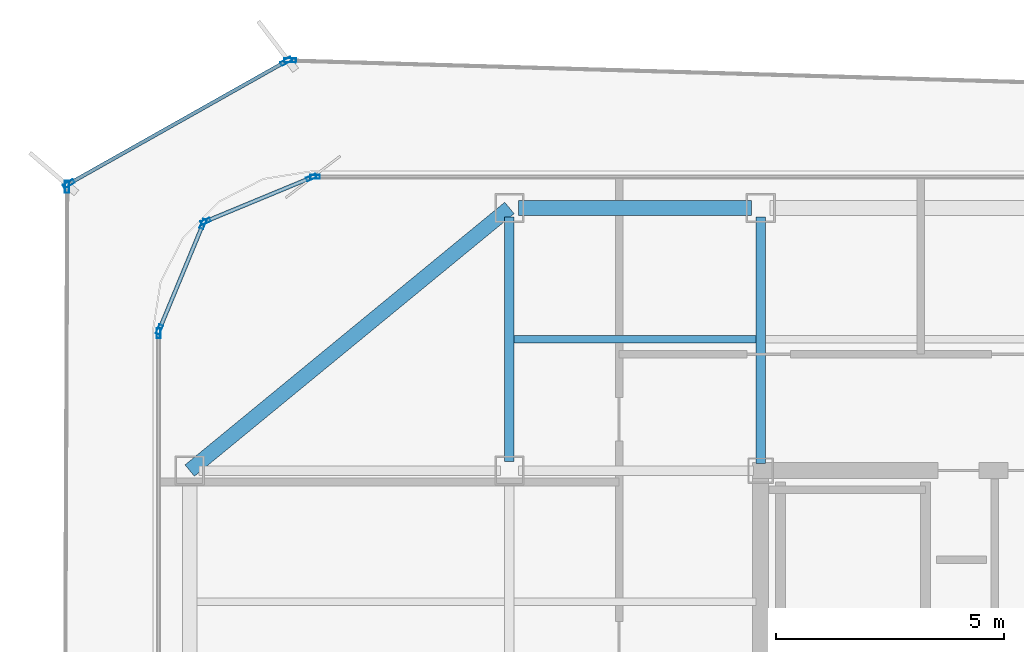
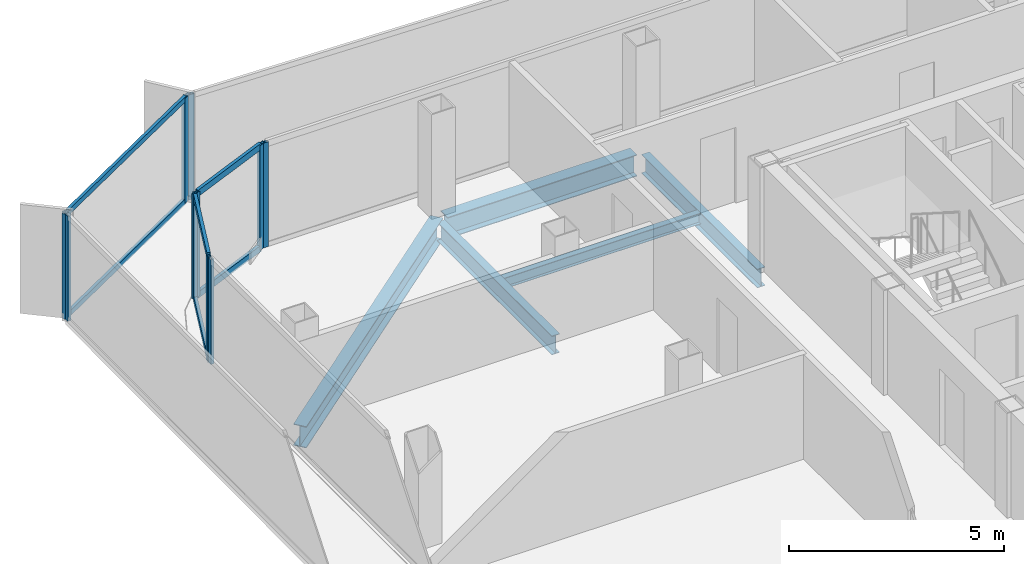
# One storey, part 6 of 15: 16 members, 5 beams, 7 elements without a shape of their own.
"""IFC4 building model written with IfcOpenShell, lengths in metres."""

from ifc_helpers import new_model, si_unit, direction, frame, origin, origin_2d, place, context, subcontext, project, spatial, hollow_rectangle, i_section, extrude, source, transform, mapped, material, layer, layer_set, material_profile, profile_set, type_object, element, aggregate, save


model = new_model("IFC4")

# Units and contexts
model_context = context("Model", 3, precision=1e-05, world=origin(), true_north=direction((0.0, 1.0)))
body_context = subcontext(model_context, "Body", "Model", "MODEL_VIEW")
ifc_project = project(units=[si_unit("LENGTHUNIT", "METRE"), si_unit("AREAUNIT", "SQUARE_METRE"), si_unit("VOLUMEUNIT", "CUBIC_METRE"), si_unit("PLANEANGLEUNIT", "RADIAN"), si_unit("MASSUNIT", "GRAM", prefix="KILO")], contexts=[model_context])

# Site, building, storey
site_placement = place(None, origin())
site = spatial("IfcSite", under=ifc_project, at=site_placement, CompositionType="ELEMENT")
building_placement = place(site_placement, origin())
building = spatial("IfcBuilding", under=site, at=building_placement, Name="Kolveth Station Tower", CompositionType="ELEMENT")
storey_placement = place(building_placement, frame((0.0, 0.0, 242.5)))
storey = spatial("IfcBuildingStorey", under=building, at=storey_placement, Name="L69", CompositionType="ELEMENT", Elevation=242.5)

# Beams
ifc_material_1 = material(Name="Steel S355", Category="steel")
ifc_material_profile_1 = material_profile(ifc_material_1, i_section(OverallWidth=0.323974609375, OverallDepth=0.611083984375, WebThickness=0.0126953125, FlangeThickness=0.01904296875, at=origin_2d()), Name="W610x155")
ifc_profile_set_1 = profile_set([ifc_material_profile_1], Name="Steel S355")
beam_type_1 = type_object("IfcBeamType", Name="Beam_SP2", PredefinedType="SPANDREL", material=ifc_profile_set_1)
shared_shape_1 = source(origin(), body_context, "Body", "SweptSolid", [
    extrude(i_section(OverallWidth=0.323974609375, OverallDepth=0.611083984375, WebThickness=0.0126953125, FlangeThickness=0.01904296875, at=origin_2d()), origin(), (0.0, 0.0, 1.0), 9.058837890625),
])
beam_1_placement = place(storey_placement, frame((13.0, 34.5, -0.525390625), z_axis=(-0.772726254525, -0.63473942336, 0.0), x_axis=(0.63473942336, -0.772726254525, 0.0)))
element("IfcBeam", 1, at=beam_1_placement, inside=storey, type_object=beam_type_1, Name="L69 Corner Edge Girder BM-L69-CNR-NW", PredefinedType="SPANDREL", context=body_context, shape_type="MappedRepresentation", body=[
    mapped(shared_shape_1, transform((0.0, 0.0, 0.0), x_axis=(1.0, 0.0, 0.0), y_axis=(0.0, 1.0, 0.0), z_axis=(0.0, 0.0, 1.0), scale=1.0)),
])
shared_shape_2 = source(origin(), body_context, "Body", "SweptSolid", [
    extrude(i_section(OverallWidth=0.323974609375, OverallDepth=0.611083984375, WebThickness=0.0126953125, FlangeThickness=0.01904296875, at=origin_2d()), origin(), (0.0, 0.0, 1.0), 5.10009765625),
])
beam_2_placement = place(storey_placement, frame((13.199951171875, 34.5, -0.525390625), z_axis=(1.0, 0.0, 0.0), x_axis=(0.0, 1.0, 0.0)))
element("IfcBeam", 2, at=beam_2_placement, inside=storey, type_object=beam_type_1, Name="L69 Perimeter Spandrel BM-L69-PN-1", PredefinedType="SPANDREL", context=body_context, shape_type="MappedRepresentation", body=[
    mapped(shared_shape_2, transform((0.0, 0.0, 0.0), x_axis=(1.0, 0.0, 0.0), y_axis=(0.0, 1.0, 0.0), z_axis=(0.0, 0.0, 1.0), scale=1.0)),
])
ifc_material_profile_2 = material_profile(ifc_material_1, i_section(OverallWidth=0.2099609375, OverallDepth=0.537109375, WebThickness=0.010986328125, FlangeThickness=0.017333984375, at=origin_2d()), Name="W530x101")
ifc_profile_set_2 = profile_set([ifc_material_profile_2], Name="Steel S355")
beam_type_2 = type_object("IfcBeamType", Name="Beam_B6", PredefinedType="BEAM", material=ifc_profile_set_2)
shared_shape_3 = source(origin(), body_context, "Body", "SweptSolid", [
    extrude(i_section(OverallWidth=0.2099609375, OverallDepth=0.537109375, WebThickness=0.010986328125, FlangeThickness=0.017333984375, at=origin_2d()), origin(), (0.0, 0.0, 1.0), 5.35009765625),
])
beam_3_placement = place(storey_placement, frame((13.0, 28.949951171875, -0.488525390625), z_axis=(0.0, 1.0, 0.0), x_axis=(-1.0, 0.0, 0.0)))
element("IfcBeam", 3, at=beam_3_placement, inside=storey, type_object=beam_type_2, Name="L69 Primary Girder BM-L69-GX130-6", PredefinedType="BEAM", context=body_context, shape_type="MappedRepresentation", body=[
    mapped(shared_shape_3, transform((0.0, 0.0, 0.0), x_axis=(1.0, 0.0, 0.0), y_axis=(0.0, 1.0, 0.0), z_axis=(0.0, 0.0, 1.0), scale=1.0)),
])
shared_shape_4 = source(origin(), body_context, "Body", "SweptSolid", [
    extrude(i_section(OverallWidth=0.2099609375, OverallDepth=0.537109375, WebThickness=0.010986328125, FlangeThickness=0.017333984375, at=origin_2d()), origin(), (0.0, 0.0, 1.0), 5.39013671875),
])
beam_4_placement = place(storey_placement, frame((18.5, 28.909912109375, -0.488525390625), z_axis=(0.0, 1.0, 0.0), x_axis=(-1.0, 0.0, 0.0)))
element("IfcBeam", 4, at=beam_4_placement, inside=storey, type_object=beam_type_2, Name="L69 Primary Girder BM-L69-GX185-6", PredefinedType="BEAM", context=body_context, shape_type="MappedRepresentation", body=[
    mapped(shared_shape_4, transform((0.0, 0.0, 0.0), x_axis=(1.0, 0.0, 0.0), y_axis=(0.0, 1.0, 0.0), z_axis=(0.0, 0.0, 1.0), scale=1.0)),
])
ifc_material_profile_3 = material_profile(ifc_material_1, i_section(OverallWidth=0.1650390625, OverallDepth=0.31005859375, WebThickness=0.005859375, FlangeThickness=0.009765625, at=origin_2d()), Name="W310x39")
ifc_profile_set_3 = profile_set([ifc_material_profile_3], Name="Steel S355")
beam_type_3 = type_object("IfcBeamType", Name="Beam_J3", PredefinedType="JOIST", material=ifc_profile_set_3)
shared_shape_5 = source(origin(), body_context, "Body", "SweptSolid", [
    extrude(i_section(OverallWidth=0.1650390625, OverallDepth=0.31005859375, WebThickness=0.005859375, FlangeThickness=0.009765625, at=origin_2d()), origin(), (0.0, 0.0, 1.0), 5.2939453125),
])
beam_5_placement = place(storey_placement, frame((13.10302734375, 31.625, -0.375), z_axis=(1.0, 0.0, 0.0), x_axis=(0.0, 1.0, 0.0)))
element("IfcBeam", 5, at=beam_5_placement, inside=storey, type_object=beam_type_3, Name="L69 Secondary Joist JST-L69-2-6", PredefinedType="JOIST", context=body_context, shape_type="MappedRepresentation", body=[
    mapped(shared_shape_5, transform((0.0, 0.0, 0.0), x_axis=(1.0, 0.0, 0.0), y_axis=(0.0, 1.0, 0.0), z_axis=(0.0, 0.0, 1.0), scale=1.0)),
])

# Curtain wall, member
ifc_material_2 = material(Name="Black anodized aluminium 6063-T6 and dark solar glass", Category="aluminium")
ifc_layer_1 = layer(ifc_material_2, 0.159912109375)
ifc_layer_set_1 = layer_set([ifc_layer_1], Name="Black anodized aluminium 6063-T6 and dark solar glass")
curtain_wall_type_1 = type_object("IfcCurtainWallType", Name="OUTER SKIN CW-OS", PredefinedType="NOTDEFINED", material=ifc_layer_set_1)
curtain_wall_1_placement = place(storey_placement, origin())
curtain_wall_1 = element("IfcCurtainWall", 6, at=curtain_wall_1_placement, inside=storey, type_object=curtain_wall_type_1, Name="L69 Outer Ventilated Skin Curtain Wall 4", PredefinedType="NOTDEFINED")
ifc_material_3 = material(Name="Black anodized aluminium 6063-T6", Category="aluminium")
ifc_material_profile_4 = material_profile(ifc_material_3, hollow_rectangle(XDim=0.090087890625, YDim=0.260009765625, WallThickness=0.0048828125, at=origin_2d()), Name="ALU-90x260x5")
ifc_profile_set_4 = profile_set([ifc_material_profile_4], Name="Black anodized aluminium 6063-T6")
member_type_1 = type_object("IfcMemberType", Name="FIN MULLION ML-OS", PredefinedType="MULLION", material=ifc_profile_set_4)
shared_shape_6 = source(origin(), body_context, "Body", "SweptSolid", [
    extrude(hollow_rectangle(XDim=0.090087890625, YDim=0.260009765625, WallThickness=0.0048828125, at=origin_2d()), origin(), (0.0, 0.0, 1.0), 2.989990234375),
])
member_1_placement = place(storey_placement, frame((8.198486328125, 37.732177734375, 0.0), z_axis=(0.0, 0.0, 1.0), x_axis=(-0.029313397808, -0.999570270021, 0.0)))
member_1 = element("IfcMember", 7, at=member_1_placement, type_object=member_type_1, Name="CW-OS mullion 2", PredefinedType="MULLION", context=body_context, shape_type="MappedRepresentation", body=[
    mapped(shared_shape_6, transform((0.0, 0.0, 0.0), x_axis=(1.0, 0.0, 0.0), y_axis=(0.0, 1.0, 0.0), z_axis=(0.0, 0.0, 1.0), scale=1.0)),
])
aggregate(curtain_wall_1, [member_1])

# Curtain wall, members
curtain_wall_2_placement = place(storey_placement, origin())
curtain_wall_2 = element("IfcCurtainWall", 8, at=curtain_wall_2_placement, inside=storey, type_object=curtain_wall_type_1, Name="L69 Outer Ventilated Skin Curtain Wall 5", PredefinedType="NOTDEFINED")
member_2_placement = place(storey_placement, frame((8.1142578125, 37.71142578125, 0.0), z_axis=(0.0, 0.0, 1.0), x_axis=(0.490896076983, -0.871218136635, 0.0)))
member_2 = element("IfcMember", 9, at=member_2_placement, type_object=member_type_1, Name="CW-OS mullion 1", PredefinedType="MULLION", context=body_context, shape_type="MappedRepresentation", body=[
    mapped(shared_shape_6, transform((0.0, 0.0, 0.0), x_axis=(1.0, 0.0, 0.0), y_axis=(0.0, 1.0, 0.0), z_axis=(0.0, 0.0, 1.0), scale=1.0)),
])
member_3_placement = place(storey_placement, frame((3.3525390625, 35.028564453125, 0.0), z_axis=(0.0, 0.0, 1.0), x_axis=(0.490896076983, -0.871218136635, 0.0)))
member_3 = element("IfcMember", 10, at=member_3_placement, type_object=member_type_1, Name="CW-OS mullion 2", PredefinedType="MULLION", context=body_context, shape_type="MappedRepresentation", body=[
    mapped(shared_shape_6, transform((0.0, 0.0, 0.0), x_axis=(1.0, 0.0, 0.0), y_axis=(0.0, 1.0, 0.0), z_axis=(0.0, 0.0, 1.0), scale=1.0)),
])

# Curtain wall, member
curtain_wall_3_placement = place(storey_placement, origin())
curtain_wall_3 = element("IfcCurtainWall", 11, at=curtain_wall_3_placement, inside=storey, type_object=curtain_wall_type_1, Name="L69 Outer Ventilated Skin Curtain Wall 6", PredefinedType="NOTDEFINED")
member_4_placement = place(storey_placement, frame((3.313232421875, 34.96142578125, 0.0), z_axis=(0.0, 0.0, 1.0), x_axis=(0.999991741337, -0.004064142908, 0.0)))
member_4 = element("IfcMember", 12, at=member_4_placement, type_object=member_type_1, Name="CW-OS mullion 1", PredefinedType="MULLION", context=body_context, shape_type="MappedRepresentation", body=[
    mapped(shared_shape_6, transform((0.0, 0.0, 0.0), x_axis=(1.0, 0.0, 0.0), y_axis=(0.0, 1.0, 0.0), z_axis=(0.0, 0.0, 1.0), scale=1.0)),
])
aggregate(curtain_wall_3, [member_4])

ifc_material_4 = material(Name="Aluminium 6063-T6 and triple low-E dark glass", Category="aluminium")
ifc_layer_2 = layer(ifc_material_4, 0.199951171875)
ifc_layer_set_2 = layer_set([ifc_layer_2], Name="Aluminium 6063-T6 and triple low-E dark glass")
curtain_wall_type_2 = type_object("IfcCurtainWallType", Name="CurtainWall_CW-Z3", PredefinedType="NOTDEFINED", material=ifc_layer_set_2)
curtain_wall_4_placement = place(storey_placement, origin())
curtain_wall_4 = element("IfcCurtainWall", 13, at=curtain_wall_4_placement, inside=storey, type_object=curtain_wall_type_2, Name="L69 Inner Thermal Curtain Wall 6", PredefinedType="NOTDEFINED")
ifc_material_profile_5 = material_profile(ifc_material_3, hollow_rectangle(XDim=0.0849609375, YDim=0.215087890625, WallThickness=0.0048828125, at=origin_2d()), Name="ALU-85x215x5")
ifc_profile_set_5 = profile_set([ifc_material_profile_5], Name="Black anodized aluminium 6063-T6")
member_type_2 = type_object("IfcMemberType", Name="Mullion_ML3", PredefinedType="MULLION", material=ifc_profile_set_5)
shared_shape_7 = source(origin(), body_context, "Body", "SweptSolid", [
    extrude(hollow_rectangle(XDim=0.0849609375, YDim=0.215087890625, WallThickness=0.0048828125, at=origin_2d()), origin(), (0.0, 0.0, 1.0), 2.97998046875),
])
member_5_placement = place(storey_placement, frame((8.742431640625, 35.179931640625, 0.0), z_axis=(0.0, 0.0, 1.0), x_axis=(0.0, -1.0, 0.0)))
member_5 = element("IfcMember", 14, at=member_5_placement, type_object=member_type_2, Name="CW-Z3 mullion 2", PredefinedType="MULLION", context=body_context, shape_type="MappedRepresentation", body=[
    mapped(shared_shape_7, transform((0.0, 0.0, 0.0), x_axis=(1.0, 0.0, 0.0), y_axis=(0.0, 1.0, 0.0), z_axis=(0.0, 0.0, 1.0), scale=1.0)),
])
aggregate(curtain_wall_4, [member_5])

# Curtain wall, members
curtain_wall_5_placement = place(storey_placement, origin())
curtain_wall_5 = element("IfcCurtainWall", 15, at=curtain_wall_5_placement, inside=storey, type_object=curtain_wall_type_2, Name="L69 Inner Thermal Curtain Wall 7", PredefinedType="NOTDEFINED")
member_6_placement = place(storey_placement, frame((8.66064453125, 35.163818359375, 0.0), z_axis=(0.0, 0.0, 1.0), x_axis=(0.382693194181, -0.923875488975, 0.0)))
member_6 = element("IfcMember", 16, at=member_6_placement, type_object=member_type_2, Name="CW-Z3 mullion 1", PredefinedType="MULLION", context=body_context, shape_type="MappedRepresentation", body=[
    mapped(shared_shape_7, transform((0.0, 0.0, 0.0), x_axis=(1.0, 0.0, 0.0), y_axis=(0.0, 1.0, 0.0), z_axis=(0.0, 0.0, 1.0), scale=1.0)),
])
member_7_placement = place(storey_placement, frame((6.349365234375, 34.206298828125, 0.0), z_axis=(0.0, 0.0, 1.0), x_axis=(0.382693194181, -0.923875488975, 0.0)))
member_7 = element("IfcMember", 17, at=member_7_placement, type_object=member_type_2, Name="CW-Z3 mullion 2", PredefinedType="MULLION", context=body_context, shape_type="MappedRepresentation", body=[
    mapped(shared_shape_7, transform((0.0, 0.0, 0.0), x_axis=(1.0, 0.0, 0.0), y_axis=(0.0, 1.0, 0.0), z_axis=(0.0, 0.0, 1.0), scale=1.0)),
])

curtain_wall_6_placement = place(storey_placement, origin())
curtain_wall_6 = element("IfcCurtainWall", 18, at=curtain_wall_6_placement, inside=storey, type_object=curtain_wall_type_2, Name="L69 Inner Thermal Curtain Wall 8", PredefinedType="NOTDEFINED")
member_8_placement = place(storey_placement, frame((6.293701171875, 34.150634765625, 0.0), z_axis=(0.0, 0.0, 1.0), x_axis=(0.923875488975, -0.382693194181, 0.0)))
member_8 = element("IfcMember", 19, at=member_8_placement, type_object=member_type_2, Name="CW-Z3 mullion 1", PredefinedType="MULLION", context=body_context, shape_type="MappedRepresentation", body=[
    mapped(shared_shape_7, transform((0.0, 0.0, 0.0), x_axis=(1.0, 0.0, 0.0), y_axis=(0.0, 1.0, 0.0), z_axis=(0.0, 0.0, 1.0), scale=1.0)),
])
member_9_placement = place(storey_placement, frame((5.336181640625, 31.83935546875, 0.0), z_axis=(0.0, 0.0, 1.0), x_axis=(0.923875488975, -0.382693194181, 0.0)))
member_9 = element("IfcMember", 20, at=member_9_placement, type_object=member_type_2, Name="CW-Z3 mullion 2", PredefinedType="MULLION", context=body_context, shape_type="MappedRepresentation", body=[
    mapped(shared_shape_7, transform((0.0, 0.0, 0.0), x_axis=(1.0, 0.0, 0.0), y_axis=(0.0, 1.0, 0.0), z_axis=(0.0, 0.0, 1.0), scale=1.0)),
])

# Curtain wall, member
curtain_wall_7_placement = place(storey_placement, origin())
curtain_wall_7 = element("IfcCurtainWall", 21, at=curtain_wall_7_placement, inside=storey, type_object=curtain_wall_type_2, Name="L69 Inner Thermal Curtain Wall 9", PredefinedType="NOTDEFINED")
member_10_placement = place(storey_placement, frame((5.320068359375, 31.757568359375, 0.0), z_axis=(0.0, 0.0, 1.0), x_axis=(1.0, 0.0, 0.0)))
member_10 = element("IfcMember", 22, at=member_10_placement, type_object=member_type_2, Name="CW-Z3 mullion 1", PredefinedType="MULLION", context=body_context, shape_type="MappedRepresentation", body=[
    mapped(shared_shape_7, transform((0.0, 0.0, 0.0), x_axis=(1.0, 0.0, 0.0), y_axis=(0.0, 1.0, 0.0), z_axis=(0.0, 0.0, 1.0), scale=1.0)),
])
aggregate(curtain_wall_7, [member_10])

# Member
ifc_material_profile_6 = material_profile(ifc_material_3, hollow_rectangle(XDim=0.0849609375, YDim=0.179931640625, WallThickness=0.0048828125, at=origin_2d()), Name="ALU-85x180x5")
ifc_profile_set_6 = profile_set([ifc_material_profile_6], Name="Black anodized aluminium 6063-T6")
member_type_3 = type_object("IfcMemberType", Name="Transom_TR3", PredefinedType="USERDEFINED", material=ifc_profile_set_6)
shared_shape_8 = source(origin(), body_context, "Body", "SweptSolid", [
    extrude(hollow_rectangle(XDim=0.0849609375, YDim=0.179931640625, WallThickness=0.0048828125, at=origin_2d()), origin(), (0.0, 0.0, 1.0), 2.417236328125),
])
member_11_placement = place(storey_placement, frame((8.62158203125, 35.1474609375, 0.04248046875), z_axis=(-0.923872799448, -0.382699687013, 0.0), x_axis=(0.382699687013, -0.923872799448, 0.0)))
member_11 = element("IfcMember", 23, at=member_11_placement, type_object=member_type_3, Name="CW-Z3 transom 1.1", ObjectType="TRANSOM", PredefinedType="USERDEFINED", context=body_context, shape_type="MappedRepresentation", body=[
    mapped(shared_shape_8, transform((0.0, 0.0, 0.0), x_axis=(1.0, 0.0, 0.0), y_axis=(0.0, 1.0, 0.0), z_axis=(0.0, 0.0, 1.0), scale=1.0)),
])

member_12_placement = place(storey_placement, frame((8.62158203125, 35.1474609375, 2.9375), z_axis=(-0.923872799448, -0.382699687013, 0.0), x_axis=(0.382699687013, -0.923872799448, 0.0)))
member_12 = element("IfcMember", 24, at=member_12_placement, type_object=member_type_3, Name="CW-Z3 transom 1.2", ObjectType="TRANSOM", PredefinedType="USERDEFINED", context=body_context, shape_type="MappedRepresentation", body=[
    mapped(shared_shape_8, transform((0.0, 0.0, 0.0), x_axis=(1.0, 0.0, 0.0), y_axis=(0.0, 1.0, 0.0), z_axis=(0.0, 0.0, 1.0), scale=1.0)),
])

aggregate(curtain_wall_5, [member_6, member_7, member_11, member_12])

member_13_placement = place(storey_placement, frame((6.277587890625, 34.111572265625, 0.04248046875), z_axis=(-0.382699687013, -0.923872799448, 0.0), x_axis=(0.923872799448, -0.382699687013, 0.0)))
member_13 = element("IfcMember", 25, at=member_13_placement, type_object=member_type_3, Name="CW-Z3 transom 1.1", ObjectType="TRANSOM", PredefinedType="USERDEFINED", context=body_context, shape_type="MappedRepresentation", body=[
    mapped(shared_shape_8, transform((0.0, 0.0, 0.0), x_axis=(1.0, 0.0, 0.0), y_axis=(0.0, 1.0, 0.0), z_axis=(0.0, 0.0, 1.0), scale=1.0)),
])

member_14_placement = place(storey_placement, frame((6.277587890625, 34.111572265625, 2.9375), z_axis=(-0.382699687013, -0.923872799448, 0.0), x_axis=(0.923872799448, -0.382699687013, 0.0)))
member_14 = element("IfcMember", 26, at=member_14_placement, type_object=member_type_3, Name="CW-Z3 transom 1.2", ObjectType="TRANSOM", PredefinedType="USERDEFINED", context=body_context, shape_type="MappedRepresentation", body=[
    mapped(shared_shape_8, transform((0.0, 0.0, 0.0), x_axis=(1.0, 0.0, 0.0), y_axis=(0.0, 1.0, 0.0), z_axis=(0.0, 0.0, 1.0), scale=1.0)),
])

aggregate(curtain_wall_6, [member_8, member_9, member_13, member_14])

ifc_material_profile_7 = material_profile(ifc_material_3, hollow_rectangle(XDim=0.080078125, YDim=0.14990234375, WallThickness=0.0048828125, at=origin_2d()), Name="ALU-80x150x5")
ifc_profile_set_7 = profile_set([ifc_material_profile_7], Name="Black anodized aluminium 6063-T6")
member_type_4 = type_object("IfcMemberType", Name="Transom_TR-OS", PredefinedType="USERDEFINED", material=ifc_profile_set_7)
shared_shape_9 = source(origin(), body_context, "Body", "SweptSolid", [
    extrude(hollow_rectangle(XDim=0.080078125, YDim=0.14990234375, WallThickness=0.0048828125, at=origin_2d()), origin(), (0.0, 0.0, 1.0), 5.375732421875),
])
member_15_placement = place(storey_placement, frame((8.0751953125, 37.689453125, 0.0400390625), z_axis=(-0.87121507348, -0.49090151328, 0.0), x_axis=(0.49090151328, -0.87121507348, 0.0)))
member_15 = element("IfcMember", 27, at=member_15_placement, type_object=member_type_4, Name="CW-OS transom 1.1", ObjectType="TRANSOM", PredefinedType="USERDEFINED", context=body_context, shape_type="MappedRepresentation", body=[
    mapped(shared_shape_9, transform((0.0, 0.0, 0.0), x_axis=(1.0, 0.0, 0.0), y_axis=(0.0, 1.0, 0.0), z_axis=(0.0, 0.0, 1.0), scale=1.0)),
])

member_16_placement = place(storey_placement, frame((8.0751953125, 37.689453125, 2.949951171875), z_axis=(-0.87121507348, -0.49090151328, 0.0), x_axis=(0.49090151328, -0.87121507348, 0.0)))
member_16 = element("IfcMember", 28, at=member_16_placement, type_object=member_type_4, Name="CW-OS transom 1.2", ObjectType="TRANSOM", PredefinedType="USERDEFINED", context=body_context, shape_type="MappedRepresentation", body=[
    mapped(shared_shape_9, transform((0.0, 0.0, 0.0), x_axis=(1.0, 0.0, 0.0), y_axis=(0.0, 1.0, 0.0), z_axis=(0.0, 0.0, 1.0), scale=1.0)),
])

aggregate(curtain_wall_2, [member_2, member_3, member_15, member_16])

save(model, "model.ifc")
